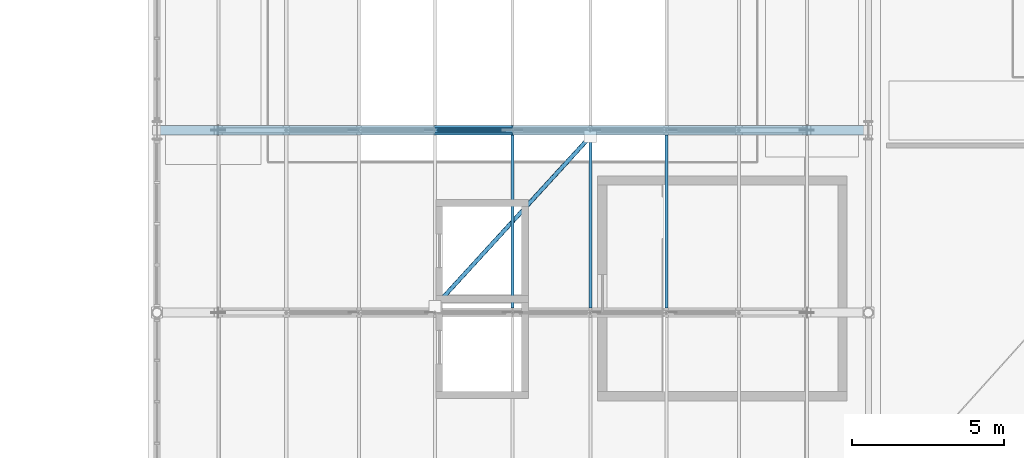
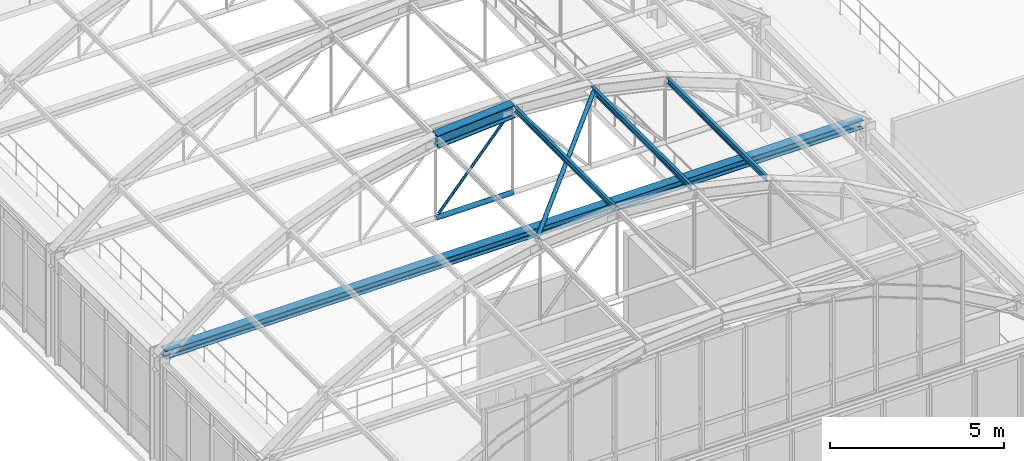
# One storey, part 38 of 148: 5 beams, 3 members.
"""IFC4 building model written with IfcOpenShell, lengths in metres."""

from ifc_helpers import new_model, si_unit, direction, frame, origin, origin_2d, place, context, subcontext, project, spatial, hollow_circle, i_section, extrude, material, material_profile, profile_set, type_object, element, save


model = new_model("IFC4")

# Units and contexts
model_context = context("Model", 3, precision=1e-05, world=origin(), true_north=direction((0.0, 1.0)))
body_context = subcontext(model_context, "Body", "Model", "MODEL_VIEW")
ifc_project = project(units=[si_unit("LENGTHUNIT", "METRE"), si_unit("AREAUNIT", "SQUARE_METRE"), si_unit("VOLUMEUNIT", "CUBIC_METRE"), si_unit("PLANEANGLEUNIT", "RADIAN"), si_unit("MASSUNIT", "GRAM", prefix="KILO"), si_unit("THERMODYNAMICTEMPERATUREUNIT", "KELVIN"), si_unit("POWERUNIT", "WATT")], contexts=[model_context])

# Site, building, storey
site_placement = place(None, origin())
site = spatial("IfcSite", under=ifc_project, at=site_placement, CompositionType="ELEMENT")
building_placement = place(site_placement, origin())
building = spatial("IfcBuilding", under=site, at=building_placement, Name="Solvatero Civic Police Headquarters", CompositionType="ELEMENT")
storey_placement = place(building_placement, frame((0.0, 0.0, 5.10009765625)))
storey = spatial("IfcBuildingStorey", under=building, at=storey_placement, Name="L01", CompositionType="ELEMENT", Elevation=5.10009765625)

# Beams
ifc_material = material(Name="Steel S355", Category="steel")
ifc_material_profile_1 = material_profile(ifc_material, i_section(OverallWidth=0.300048828125, OverallDepth=0.2900390625, WebThickness=0.008544921875, FlangeThickness=0.013916015625, FilletRadius=0.027099609375, at=origin_2d()), Name="HEA 300")
ifc_profile_set_1 = profile_set([ifc_material_profile_1], Name="Steel S355")
beam_type_1 = type_object("IfcBeamType", Name="BM-ST-HEA300", PredefinedType="SPANDREL", material=ifc_profile_set_1)
beam_1_placement = place(storey_placement, frame((98.919921875, 16.800048828125, 3.81884765625), z_axis=(1.0, 0.0, 0.0), x_axis=(0.0, 1.0, 0.0)))
element("IfcBeam", 1, at=beam_1_placement, inside=storey, type_object=beam_type_1, Name="VLT1 Barrel Vault Springing Tie Beam F3", PredefinedType="SPANDREL", context=body_context, shape_type="SweptSolid", body=[
    extrude(i_section(OverallWidth=0.300048828125, OverallDepth=0.2900390625, WebThickness=0.008544921875, FlangeThickness=0.013916015625, FilletRadius=0.027099609375, at=origin_2d()), origin(), (0.0, 0.0, 1.0), 23.1201171875),
])
ifc_material_profile_2 = material_profile(ifc_material, i_section(OverallWidth=0.300048828125, OverallDepth=0.449951171875, WebThickness=0.013916015625, FlangeThickness=0.02587890625, FilletRadius=0.027099609375, at=origin_2d()), Name="HEB 450")
ifc_profile_set_2 = profile_set([ifc_material_profile_2], Name="Steel S355")
beam_type_2 = type_object("IfcBeamType", Name="BM-ST-HEB450", PredefinedType="BEAM", material=ifc_profile_set_2)
beam_2_placement = place(storey_placement, frame((107.94482421875, 16.800048828125, 8.1259765625), z_axis=(0.997304549883, 0.0, 0.073373256584), x_axis=(0.0, 1.0, 0.0)))
element("IfcBeam", 2, at=beam_2_placement, inside=storey, type_object=beam_type_2, Name="VLT1 Tied-Arch Vault Top Chord F3.5", PredefinedType="BEAM", context=body_context, shape_type="SweptSolid", body=[
    extrude(i_section(OverallWidth=0.300048828125, OverallDepth=0.449951171875, WebThickness=0.013916015625, FlangeThickness=0.02587890625, FilletRadius=0.027099609375, at=origin_2d()), origin(), (0.0, 0.0, 1.0), 2.56201171875),
])
ifc_material_profile_3 = material_profile(ifc_material, i_section(OverallWidth=0.10009765625, OverallDepth=0.199951171875, WebThickness=0.005615234375, FlangeThickness=0.008544921875, FilletRadius=0.011962890625, at=origin_2d()), Name="IPE 200")
ifc_profile_set_3 = profile_set([ifc_material_profile_3], Name="Steel S355")
beam_type_3 = type_object("IfcBeamType", Name="BM-ST-IPE200", PredefinedType="JOIST", material=ifc_profile_set_3)
for number, where, z_axis, x_axis, name in (
    (3, (110.5, 10.9580078125, 8.41455078125), (0.0, 1.0, 0.0), (-1.0, 0.0, 0.0), "VLT1 Vault Roof Purlin B2.5"),
    (4, (113.05517578125, 10.9580078125, 8.222900390625), (0.0, 1.0, 0.0), (-1.0, 0.0, 0.0), "VLT1 Vault Roof Purlin B2.6"),
    (5, (115.55517578125, 10.9580078125, 7.65576171875), (0.0, 1.0, 0.0), (-1.0, 0.0, 0.0), "VLT1 Vault Roof Purlin B2.7"),
):
    element("IfcBeam", number, at=place(storey_placement, frame(where, z_axis=z_axis, x_axis=x_axis)), inside=storey, type_object=beam_type_3, Name=name, PredefinedType="JOIST", context=body_context, shape_type="SweptSolid", body=[
        extrude(i_section(OverallWidth=0.10009765625, OverallDepth=0.199951171875, WebThickness=0.005615234375, FlangeThickness=0.008544921875, FilletRadius=0.011962890625, at=origin_2d()), origin(), (0.0, 0.0, 1.0), 5.68408203125),
    ])

# Members
ifc_material_profile_4 = material_profile(ifc_material, hollow_circle(Radius=0.06982421875, WallThickness=0.008056640625, at=origin_2d()), Name="CHS 139.7x8.0")
ifc_profile_set_4 = profile_set([ifc_material_profile_4], Name="Steel S355")
member_type_1 = type_object("IfcMemberType", Name="MB-BR-CHS140", PredefinedType="BRACE", material=ifc_profile_set_4)
member_1_placement = place(storey_placement, frame((107.94482421875, 11.008056640625, 8.130859375), z_axis=(0.675128510654, 0.737700138337, 0.0), x_axis=(-0.737700138337, 0.675128510654, 0.0)))
element("IfcMember", 6, at=member_1_placement, inside=storey, type_object=member_type_1, Name="VLT1 Vault Single Diagonal Wind Brace B2", PredefinedType="BRACE", context=body_context, shape_type="SweptSolid", body=[
    extrude(hollow_circle(Radius=0.06982421875, WallThickness=0.008056640625, at=origin_2d()), origin(), (0.0, 0.0, 1.0), 7.5693359375),
])
ifc_material_profile_5 = material_profile(ifc_material, hollow_circle(Radius=0.04443359375, WallThickness=0.00634765625, at=origin_2d()), Name="CHS 88.9x6.3")
ifc_profile_set_5 = profile_set([ifc_material_profile_5], Name="Steel S355")
member_type_2 = type_object("IfcMemberType", Name="MB-HNG-CHS89", PredefinedType="STRUT", material=ifc_profile_set_5)
member_2_placement = place(storey_placement, frame((108.050048828125, 16.800048828125, 5.51220703125), z_axis=(0.657605371239, 0.0, 0.753362579186), x_axis=(0.0, 1.0, 0.0)))
element("IfcMember", 7, at=member_2_placement, inside=storey, type_object=member_type_2, Name="VLT1 Vault Truss Diagonal Web F3.4", PredefinedType="STRUT", context=body_context, shape_type="SweptSolid", body=[
    extrude(hollow_circle(Radius=0.04443359375, WallThickness=0.00634765625, at=origin_2d()), origin(), (0.0, 0.0, 1.0), 3.365478515625),
])
ifc_material_profile_6 = material_profile(ifc_material, hollow_circle(Radius=0.084228515625, WallThickness=0.010009765625, at=origin_2d()), Name="CHS 168.3x10.0")
ifc_profile_set_6 = profile_set([ifc_material_profile_6], Name="Steel S355")
member_type_3 = type_object("IfcMemberType", Name="MB-TIE-CHS168", PredefinedType="CHORD", material=ifc_profile_set_6)
member_3_placement = place(storey_placement, frame((107.94482421875, 16.800048828125, 5.3916015625), z_axis=(1.0, 0.0, 0.0), x_axis=(0.0, 1.0, 0.0)))
element("IfcMember", 8, at=member_3_placement, inside=storey, type_object=member_type_3, Name="VLT1 Vault Horizontal Tie Chord F3.4", PredefinedType="CHORD", context=body_context, shape_type="SweptSolid", body=[
    extrude(hollow_circle(Radius=0.084228515625, WallThickness=0.010009765625, at=origin_2d()), origin(), (0.0, 0.0, 1.0), 2.55517578125),
])

save(model, "model.ifc")
